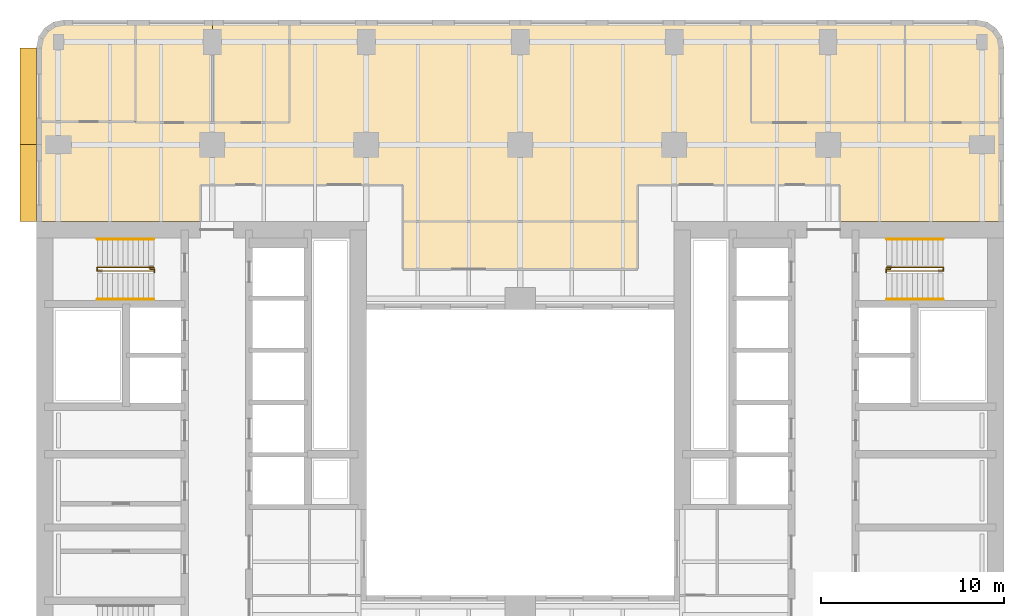
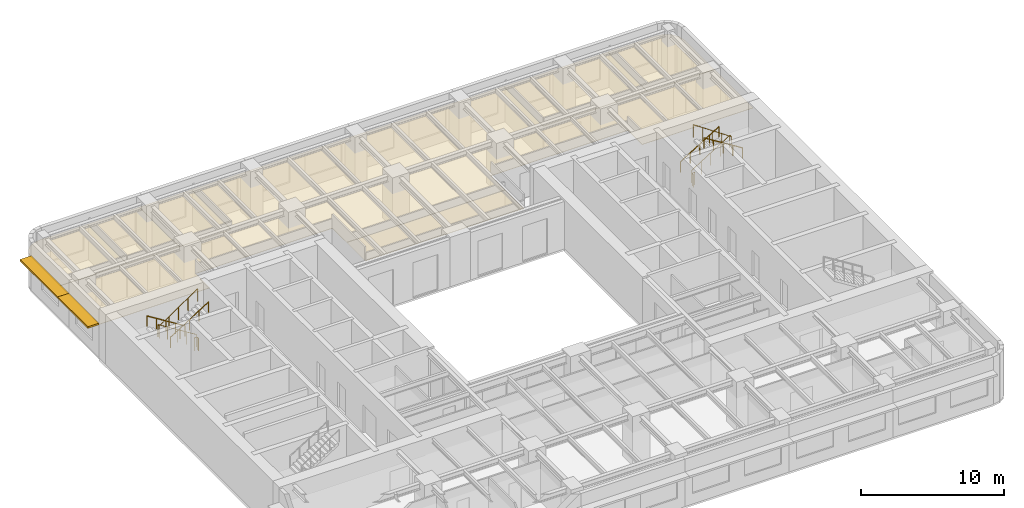
# One storey, part 11 of 11: 8 railings, 7 coverings, 2 shading devices.
"""IFC4 building model written with IfcOpenShell, lengths in metres."""

import ifcopenshell
import ifcopenshell.guid

model = None  # the IFC model being written
_history = None  # IfcOwnerHistory: only IFC2X3 demands one
_inside = {}  # id of a spatial element -> (the spatial element, [elements in it])
_under = {}  # id of a project, library or spatial element -> (it, [spatial elements below it])
_declared = {}  # id of a project -> (the project, [libraries it declares])
_typed = {}  # id of a type object -> (the type object, [elements of that type])
_made_of = {}  # id of a material, layer set ... -> (it, [elements and type objects made of it])


def new_model(schema):
    """Start an empty IFC model of exactly this schema.

    Asked for "IFC4X3", IfcOpenShell would pick the latest addendum, in which some entities
    have other attributes; the version numbers below select the first issue.
    IFC2X3 requires an IfcOwnerHistory on every rooted entity: one is made here for all.
    """
    global model, _history
    if schema == "IFC4X3":
        model = ifcopenshell.file(schema_version=(4, 3, 0, 0))
    else:
        model = ifcopenshell.file(schema=schema)
    _inside.clear()
    _under.clear()
    _declared.clear()
    _typed.clear()
    _made_of.clear()
    _history = None
    if model.schema == "IFC2X3":
        org = make("IfcOrganization", Name="unknown")
        user = make(
            "IfcPersonAndOrganization",
            ThePerson=make("IfcPerson", FamilyName="unknown"),
            TheOrganization=org,
        )
        app = make(
            "IfcApplication",
            ApplicationDeveloper=org,
            Version="unknown",
            ApplicationFullName="unknown",
            ApplicationIdentifier="unknown",
        )
        _history = make(
            "IfcOwnerHistory",
            OwningUser=user,
            OwningApplication=app,
            ChangeAction="ADDED",
            CreationDate=0,
        )
    return model


def make(cls, **values):
    """One entity of the class cls with the attributes given. An attribute that is None is left unset."""
    return model.create_entity(
        cls, **{name: value for name, value in values.items() if value is not None}
    )


def rooted(cls, **values):
    """An entity with a GlobalId (a new one), such as an element, a storey or a relation."""
    return make(cls, GlobalId=ifcopenshell.guid.new(), OwnerHistory=_history, **values)


def si_unit(unit_type, name, prefix=None):
    """IfcSIUnit, for example si_unit("LENGTHUNIT", "METRE", prefix="MILLI")."""
    return make("IfcSIUnit", UnitType=unit_type, Prefix=prefix, Name=name)


def assignment(units):
    """IfcUnitAssignment: the units of a project."""
    return None if units is None else make("IfcUnitAssignment", Units=units)


def point(xyz):
    """IfcCartesianPoint."""
    return None if xyz is None else make("IfcCartesianPoint", Coordinates=xyz)


def direction(xyz):
    """IfcDirection."""
    return None if xyz is None else make("IfcDirection", DirectionRatios=xyz)


def frame(location, z_axis=None, x_axis=None):
    """IfcAxis2Placement3D, a coordinate frame: its origin and axes. An axis left out is left unset."""
    return make(
        "IfcAxis2Placement3D",
        Location=point(location),
        Axis=direction(z_axis),
        RefDirection=direction(x_axis),
    )


def frame_2d(location, x_axis=None):
    """IfcAxis2Placement2D, a coordinate frame in the plane: its origin and x axis."""
    return make(
        "IfcAxis2Placement2D", Location=point(location), RefDirection=direction(x_axis)
    )


def origin():
    """The frame at (0, 0, 0) with its axes left unset."""
    return frame((0.0, 0.0, 0.0))


def origin_2d():
    """The frame at (0, 0) in the plane with its x axis left unset."""
    return frame_2d((0.0, 0.0))


def place(relative_to, where):
    """IfcLocalPlacement: puts the frame where relative to a parent placement (None: the world)."""
    return make(
        "IfcLocalPlacement", PlacementRelTo=relative_to, RelativePlacement=where
    )


def context(
    kind, dimensions, precision=None, world=None, true_north=None, identifier=None
):
    """IfcGeometricRepresentationContext, for example the 3D "Model" context."""
    return make(
        "IfcGeometricRepresentationContext",
        ContextIdentifier=identifier,
        ContextType=kind,
        CoordinateSpaceDimension=dimensions,
        Precision=precision,
        WorldCoordinateSystem=world,
        TrueNorth=true_north,
    )


def subcontext(parent, identifier, kind, view, scale=None):
    """IfcGeometricRepresentationSubContext, for example "Body" below "Model"."""
    return make(
        "IfcGeometricRepresentationSubContext",
        ContextIdentifier=identifier,
        ContextType=kind,
        ParentContext=parent,
        TargetScale=scale,
        TargetView=view,
    )


def project(units=None, contexts=None):
    """IfcProject with its units and contexts."""
    return rooted(
        "IfcProject",
        Name="project",
        RepresentationContexts=contexts,
        UnitsInContext=assignment(units),
    )


def spatial(cls, under=None, at=None, **own):
    """A site, building, storey or space (cls), placed at a placement, below another one or the project."""
    s = rooted(cls, ObjectPlacement=at, **own)
    if under is not None:
        _under.setdefault(under.id(), (under, []))[1].append(s)
    return s


def polyline(points):
    """IfcPolyline through the points."""
    return make("IfcPolyline", Points=[point(p) for p in points])


def profile(cls, at=None, kind="AREA", **sizes):
    """A parametric profile (cls). Its sizes go by their IFC names, for example OverallWidth=200.0."""
    return make(cls, ProfileType=kind, Position=at, **sizes)


def rectangle(**sizes):
    """IfcRectangleProfileDef."""
    return profile("IfcRectangleProfileDef", **sizes)


def circle(**sizes):
    """IfcCircleProfileDef."""
    return profile("IfcCircleProfileDef", **sizes)


def outline(outer, holes=None, kind="AREA"):
    """IfcArbitraryClosedProfileDef: a profile drawn as a closed curve; with holes, ...WithVoids."""
    if holes is None:
        return make("IfcArbitraryClosedProfileDef", ProfileType=kind, OuterCurve=outer)
    return make(
        "IfcArbitraryProfileDefWithVoids",
        ProfileType=kind,
        OuterCurve=outer,
        InnerCurves=holes,
    )


def extrude(swept, where, along, depth):
    """IfcExtrudedAreaSolid: the profile swept, set in the frame where, extruded along a direction by depth."""
    return make(
        "IfcExtrudedAreaSolid",
        SweptArea=swept,
        Position=where,
        ExtrudedDirection=direction(along),
        Depth=depth,
    )


def shape(context_of_items, identifier, shape_type, items):
    """IfcShapeRepresentation: the items that make up one representation, for example the "Body"."""
    return make(
        "IfcShapeRepresentation",
        ContextOfItems=context_of_items,
        RepresentationIdentifier=identifier,
        RepresentationType=shape_type,
        Items=items,
    )


def material(Name=None, Category=None):
    """IfcMaterial."""
    return make("IfcMaterial", Name=Name, Category=Category)


def layer(
    of_material, thickness, ventilated=None, Name=None, Category=None, Priority=None
):
    """IfcMaterialLayer: one layer of a wall or slab, of a material (None: an air gap)."""
    return make(
        "IfcMaterialLayer",
        Material=of_material,
        LayerThickness=thickness,
        IsVentilated=ventilated,
        Name=Name,
        Category=Category,
        Priority=Priority,
    )


def layer_set(layers, Name=None):
    """IfcMaterialLayerSet."""
    return make("IfcMaterialLayerSet", MaterialLayers=layers, LayerSetName=Name)


def made_of(thing, what):
    """Note that an element or type object is made of a material, layer set ...; save() writes the relation."""
    if what is not None:
        _made_of.setdefault(what.id(), (what, []))[1].append(thing)
    return thing


def type_object(cls, material=None, **own):
    """A type object (cls), such as IfcWallType, which elements share."""
    return made_of(rooted(cls, **own), material)


def element(
    cls,
    number,
    at=None,
    inside=None,
    cuts=None,
    type_object=None,
    material=None,
    context=None,
    identifier="Body",
    shape_type=None,
    held_by="IfcProductDefinitionShape",
    body=None,
    shapes=None,
    **own,
):
    """One element of the class cls, such as IfcWall. Its Tag is "e" and its number.

    at: its placement. inside: the storey or other place that contains it. cuts: it is an
    opening in that element (IfcRelVoidsElement). A single representation is given by context,
    identifier, shape_type and body (its items); several are given by shapes. held_by: the class
    of the entity that holds the representations. save() writes the other relations.
    """
    e = rooted(cls, Tag="e%d" % number, ObjectPlacement=at, **own)
    if body is not None:
        shapes = [shape(context, identifier, shape_type, body)]
    if shapes is not None:
        e.Representation = make(held_by, Representations=shapes)
    if inside is not None:
        _inside.setdefault(inside.id(), (inside, []))[1].append(e)
    if cuts is not None:
        rooted(
            "IfcRelVoidsElement", RelatingBuildingElement=cuts, RelatedOpeningElement=e
        )
    if type_object is not None:
        _typed.setdefault(type_object.id(), (type_object, []))[1].append(e)
    return made_of(e, material)


def aggregate(whole, parts):
    """IfcRelAggregates: a whole, such as a stair, and the parts it consists of."""
    return rooted("IfcRelAggregates", RelatingObject=whole, RelatedObjects=parts)


def save(model, path):
    """Write the relations noted so far, then the file.

    IfcRelAggregates (storeys below a building ...), IfcRelContainedInSpatialStructure (elements
    in a storey), IfcRelDefinesByType, IfcRelAssociatesMaterial and IfcRelDeclares: one each for
    every whole, place, type object, material and project.
    """
    for whole, parts in _under.values():
        aggregate(whole, parts)
    for where, things in _inside.values():
        rooted(
            "IfcRelContainedInSpatialStructure",
            RelatedElements=things,
            RelatingStructure=where,
        )
    for kind, things in _typed.values():
        rooted("IfcRelDefinesByType", RelatedObjects=things, RelatingType=kind)
    for what, things in _made_of.values():
        rooted("IfcRelAssociatesMaterial", RelatedObjects=things, RelatingMaterial=what)
    for by, libraries in _declared.values():
        rooted("IfcRelDeclares", RelatingContext=by, RelatedDefinitions=libraries)
    model.write(path)


model = new_model("IFC4")

# Units and contexts
model_context = context("Model", 3, precision=1e-05, world=origin(), true_north=direction((0.0, 1.0)))
body_context = subcontext(model_context, "Body", "Model", "MODEL_VIEW")
ifc_project = project(units=[si_unit("LENGTHUNIT", "METRE"), si_unit("AREAUNIT", "SQUARE_METRE"), si_unit("VOLUMEUNIT", "CUBIC_METRE"), si_unit("PLANEANGLEUNIT", "RADIAN"), si_unit("MASSUNIT", "GRAM", prefix="KILO")], contexts=[model_context])

# Site, building, storey
site_placement = place(None, origin())
site = spatial("IfcSite", under=ifc_project, at=site_placement, CompositionType="ELEMENT")
building_placement = place(site_placement, origin())
building = spatial("IfcBuilding", under=site, at=building_placement, Name="Claustro Exchange Tower", CompositionType="ELEMENT")
storey_placement = place(building_placement, frame((0.0, 0.0, 105.0)))
storey = spatial("IfcBuildingStorey", under=building, at=storey_placement, Name="L23", CompositionType="ELEMENT", Elevation=105.0)

# Coverings
ifc_material_1 = material(Name="Perforated metal ceiling tiles", Category="steel")
ifc_layer_1 = layer(ifc_material_1, 0.030029296875)
ifc_layer_set_1 = layer_set([ifc_layer_1], Name="Perforated metal ceiling tiles")
covering_type_1 = type_object("IfcCoveringType", Name="CL1 suspended metal ceiling", PredefinedType="CEILING", material=ifc_layer_set_1)
covering_1_placement = place(storey_placement, frame((0.0, 0.0, 2.800048828125)))
element("IfcCovering", 1, at=covering_1_placement, inside=storey, type_object=covering_type_1, Name="Ceiling CL1 L23-17", PredefinedType="CEILING", context=body_context, shape_type="SweptSolid", body=[
    extrude(outline(polyline([(-1.199951171875, 43.25), (-1.199951171875, 37.800048828125), (7.75, 37.800048828125), (7.75, 39.800048828125), (16.800048828125, 39.800048828125), (18.800048828125, 39.800048828125), (18.800048828125, 37.800048828125), (31.60009765625, 37.800048828125), (31.60009765625, 39.800048828125), (33.60009765625, 39.800048828125), (42.64990234375, 39.800048828125), (42.64990234375, 37.800048828125), (51.60009765625, 37.800048828125), (51.60009765625, 43.199951171875), (46.199951171875, 43.199951171875), (37.800048828125, 43.199951171875), (37.800048828125, 48.800048828125), (12.60009765625, 48.800048828125), (12.60009765625, 43.199951171875), (8.39990234375, 43.199951171875), (4.199951171875, 43.199951171875), (4.199951171875, 43.25), (-1.199951171875, 43.25)])), origin(), (0.0, 0.0, 1.0), 0.030029296875),
])
ifc_material_2 = material(Name="Gypsum board ceiling", Category="gypsum board")
ifc_layer_2 = layer(ifc_material_2, 0.02490234375)
ifc_layer_set_2 = layer_set([ifc_layer_2], Name="Gypsum board ceiling")
covering_type_2 = type_object("IfcCoveringType", Name="CL2 plasterboard ceiling", PredefinedType="CEILING", material=ifc_layer_set_2)
covering_2_placement = place(storey_placement, frame((0.0, 0.0, 2.800048828125)))
element("IfcCovering", 2, at=covering_2_placement, inside=storey, type_object=covering_type_2, Name="Ceiling CL2 L23-15", PredefinedType="CEILING", context=body_context, shape_type="SweptSolid", body=[
    extrude(outline(polyline([(18.800048828125, 35.199951171875), (31.60009765625, 35.199951171875), (31.60009765625, 37.800048828125), (18.800048828125, 37.800048828125), (18.800048828125, 35.199951171875)])), origin(), (0.0, 0.0, 1.0), 0.02490234375),
])
covering_3_placement = place(storey_placement, frame((0.0, 0.0, 2.800048828125)))
element("IfcCovering", 3, at=covering_3_placement, inside=storey, type_object=covering_type_2, Name="Ceiling CL2 L23-18", PredefinedType="CEILING", context=body_context, shape_type="SweptSolid", body=[
    extrude(outline(polyline([(-1.199951171875, 47.300048828125), (-1.199951171875, 43.25), (4.199951171875, 43.25), (4.199951171875, 48.800048828125), (0.300048828125, 48.800048828125), (-0.27392578125, 48.685791015625), (-0.7607421875, 48.360595703125), (-1.085693359375, 47.8740234375), (-1.199951171875, 47.300048828125)])), origin(), (0.0, 0.0, 1.0), 0.02490234375),
])
covering_4_placement = place(storey_placement, frame((0.0, 0.0, 2.800048828125)))
element("IfcCovering", 4, at=covering_4_placement, inside=storey, type_object=covering_type_2, Name="Ceiling CL2 L23-19", PredefinedType="CEILING", context=body_context, shape_type="SweptSolid", body=[
    extrude(outline(polyline([(8.39990234375, 48.800048828125), (4.199951171875, 48.800048828125), (4.199951171875, 43.199951171875), (8.39990234375, 43.199951171875), (8.39990234375, 48.800048828125)])), origin(), (0.0, 0.0, 1.0), 0.02490234375),
])
covering_5_placement = place(storey_placement, frame((0.0, 0.0, 2.800048828125)))
element("IfcCovering", 5, at=covering_5_placement, inside=storey, type_object=covering_type_2, Name="Ceiling CL2 L23-20", PredefinedType="CEILING", context=body_context, shape_type="SweptSolid", body=[
    extrude(outline(polyline([(12.60009765625, 48.800048828125), (8.39990234375, 48.800048828125), (8.39990234375, 43.199951171875), (12.60009765625, 43.199951171875), (12.60009765625, 48.800048828125)])), origin(), (0.0, 0.0, 1.0), 0.02490234375),
])
covering_6_placement = place(storey_placement, frame((0.0, 0.0, 2.800048828125)))
element("IfcCovering", 6, at=covering_6_placement, inside=storey, type_object=covering_type_2, Name="Ceiling CL2 L23-21", PredefinedType="CEILING", context=body_context, shape_type="SweptSolid", body=[
    extrude(outline(polyline([(46.199951171875, 48.800048828125), (37.800048828125, 48.800048828125), (37.800048828125, 43.199951171875), (46.199951171875, 43.199951171875), (46.199951171875, 48.800048828125)])), origin(), (0.0, 0.0, 1.0), 0.02490234375),
])
covering_7_placement = place(storey_placement, frame((0.0, 0.0, 2.800048828125)))
element("IfcCovering", 7, at=covering_7_placement, inside=storey, type_object=covering_type_2, Name="Ceiling CL2 L23-22", PredefinedType="CEILING", context=body_context, shape_type="SweptSolid", body=[
    extrude(outline(polyline([(50.10009765625, 48.800048828125), (46.199951171875, 48.800048828125), (46.199951171875, 43.199951171875), (51.60009765625, 43.199951171875), (51.60009765625, 47.300048828125), (51.48583984375, 47.8740234375), (51.16064453125, 48.360595703125), (50.674072265625, 48.685791015625), (50.10009765625, 48.800048828125)])), origin(), (0.0, 0.0, 1.0), 0.02490234375),
])

# Railings
ifc_material_3 = material(Name="Steel balustrade, painted", Category="steel")
railing_type_1 = type_object("IfcRailingType", Name="GR2 1100 steel stair guard", PredefinedType="GUARDRAIL", material=ifc_material_3)
railing_1_placement = place(storey_placement, frame((5.199951171875, 35.300048828125, 0.175048828125)))
element("IfcRailing", 8, at=railing_1_placement, inside=storey, type_object=railing_type_1, Name="Stair well guard GR2 stair STWB L23", PredefinedType="GUARDRAIL", context=body_context, shape_type="SweptSolid", body=[
    extrude(circle(Radius=0.02392578125, at=origin_2d()), frame((0.0, 0.0, 1.076171875), z_axis=(-0.847979421464, 0.0, 0.530029150871), x_axis=(0.0, -1.0, 0.0)), (0.0, 0.0, 1.0), 3.632080078125),
    extrude(circle(Radius=0.02392578125, at=origin_2d()), frame((-3.079833984375, 0.0, 3.0009765625), z_axis=(0.0, -1.0, 0.0), x_axis=(1.0, 0.0, 0.0)), (0.0, 0.0, 1.0), 0.199951171875),
    extrude(circle(Radius=0.02392578125, at=origin_2d()), frame((-3.079833984375, -0.199951171875, 3.0009765625), z_axis=(0.826231499792, 0.0, 0.563330727682), x_axis=(0.0, 1.0, 0.0)), (0.0, 0.0, 1.0), 3.7275390625),
    extrude(circle(Radius=0.02099609375, at=origin_2d()), origin(), (0.0, 0.0, 1.0), 1.052001953125),
    extrude(circle(Radius=0.02099609375, at=origin_2d()), frame((-0.77001953125, 0.0, 0.481201171875)), (0.0, 0.0, 1.0), 1.052001953125),
    extrude(circle(Radius=0.02099609375, at=origin_2d()), frame((-1.5400390625, 0.0, 0.96240234375)), (0.0, 0.0, 1.0), 1.052001953125),
    extrude(circle(Radius=0.02099609375, at=origin_2d()), frame((-2.309814453125, 0.0, 1.44384765625)), (0.0, 0.0, 1.0), 1.052001953125),
    extrude(circle(Radius=0.02099609375, at=origin_2d()), frame((-3.079833984375, 0.0, 1.925048828125)), (0.0, 0.0, 1.0), 1.052001953125),
    extrude(circle(Radius=0.02099609375, at=origin_2d()), frame((-3.079833984375, -0.199951171875, 1.925048828125)), (0.0, 0.0, 1.0), 1.052001953125),
    extrude(circle(Radius=0.02099609375, at=origin_2d()), frame((-2.309814453125, -0.199951171875, 2.449951171875)), (0.0, 0.0, 1.0), 1.052001953125),
    extrude(circle(Radius=0.02099609375, at=origin_2d()), frame((-1.5400390625, -0.199951171875, 2.97509765625)), (0.0, 0.0, 1.0), 1.052001953125),
    extrude(circle(Radius=0.02099609375, at=origin_2d()), frame((-0.77001953125, -0.199951171875, 3.5)), (0.0, 0.0, 1.0), 1.052001953125),
    extrude(circle(Radius=0.02099609375, at=origin_2d()), frame((0.0, -0.199951171875, 4.02490234375)), (0.0, 0.0, 1.0), 1.052001953125),
])
railing_2_placement = place(storey_placement, frame((5.0, 35.22998046875, 0.0)))
element("IfcRailing", 9, at=railing_2_placement, inside=storey, type_object=railing_type_1, Name="Stair guard GR2 STWB L23", PredefinedType="GUARDRAIL", context=body_context, shape_type="SweptSolid", body=[
    extrude(circle(Radius=0.02392578125, at=origin_2d()), frame((0.0, 0.0, 1.076171875), z_axis=(0.0, -1.0, 0.0), x_axis=(1.0, 0.0, 0.0)), (0.0, 0.0, 1.0), 0.030029296875),
    extrude(circle(Radius=0.02392578125, at=origin_2d()), frame((0.0, -0.030029296875, 1.076171875), z_axis=(1.0, 0.0, 0.0), x_axis=(0.0, 1.0, 0.0)), (0.0, 0.0, 1.0), 0.22509765625),
    extrude(circle(Radius=0.02392578125, at=origin_2d()), frame((0.22509765625, -0.030029296875, 1.076171875), z_axis=(0.0, -1.0, 0.0), x_axis=(1.0, 0.0, 0.0)), (0.0, 0.0, 1.0), 0.179931640625),
    extrude(circle(Radius=0.02099609375, at=origin_2d()), origin(), (0.0, 0.0, 1.0), 1.052001953125),
    extrude(circle(Radius=0.02099609375, at=origin_2d()), frame((0.0, -0.030029296875, 0.0)), (0.0, 0.0, 1.0), 1.052001953125),
    extrude(circle(Radius=0.02099609375, at=origin_2d()), frame((0.22509765625, -0.030029296875, 0.0)), (0.0, 0.0, 1.0), 1.052001953125),
    extrude(circle(Radius=0.02099609375, at=origin_2d()), frame((0.22509765625, -0.2099609375, 0.0)), (0.0, 0.0, 1.0), 1.052001953125),
])
railing_3_placement = place(storey_placement, frame((45.199951171875, 35.300048828125, 0.175048828125)))
element("IfcRailing", 10, at=railing_3_placement, inside=storey, type_object=railing_type_1, Name="Stair well guard GR2 stair STEB L23", PredefinedType="GUARDRAIL", context=body_context, shape_type="SweptSolid", body=[
    extrude(circle(Radius=0.02392578125, at=origin_2d()), frame((0.0, 0.0, 1.076171875), z_axis=(0.847998304005, 0.0, 0.529998940003), x_axis=(0.0, 1.0, 0.0)), (0.0, 0.0, 1.0), 3.632080078125),
    extrude(circle(Radius=0.02392578125, at=origin_2d()), frame((3.080078125, 0.0, 3.0009765625), z_axis=(0.0, -1.0, 0.0), x_axis=(1.0, 0.0, 0.0)), (0.0, 0.0, 1.0), 0.199951171875),
    extrude(circle(Radius=0.02392578125, at=origin_2d()), frame((3.080078125, -0.199951171875, 3.0009765625), z_axis=(-0.826252282691, 0.0, 0.563300244406), x_axis=(0.0, -1.0, 0.0)), (0.0, 0.0, 1.0), 3.727783203125),
    extrude(circle(Radius=0.02099609375, at=origin_2d()), origin(), (0.0, 0.0, 1.0), 1.052001953125),
    extrude(circle(Radius=0.02099609375, at=origin_2d()), frame((0.77001953125, 0.0, 0.481201171875)), (0.0, 0.0, 1.0), 1.052001953125),
    extrude(circle(Radius=0.02099609375, at=origin_2d()), frame((1.5400390625, 0.0, 0.96240234375)), (0.0, 0.0, 1.0), 1.052001953125),
    extrude(circle(Radius=0.02099609375, at=origin_2d()), frame((2.31005859375, 0.0, 1.44384765625)), (0.0, 0.0, 1.0), 1.052001953125),
    extrude(circle(Radius=0.02099609375, at=origin_2d()), frame((3.080078125, 0.0, 1.925048828125)), (0.0, 0.0, 1.0), 1.052001953125),
    extrude(circle(Radius=0.02099609375, at=origin_2d()), frame((3.080078125, -0.199951171875, 1.925048828125)), (0.0, 0.0, 1.0), 1.052001953125),
    extrude(circle(Radius=0.02099609375, at=origin_2d()), frame((2.31005859375, -0.199951171875, 2.449951171875)), (0.0, 0.0, 1.0), 1.052001953125),
    extrude(circle(Radius=0.02099609375, at=origin_2d()), frame((1.5400390625, -0.199951171875, 2.97509765625)), (0.0, 0.0, 1.0), 1.052001953125),
    extrude(circle(Radius=0.02099609375, at=origin_2d()), frame((0.77001953125, -0.199951171875, 3.5)), (0.0, 0.0, 1.0), 1.052001953125),
    extrude(circle(Radius=0.02099609375, at=origin_2d()), frame((0.0, -0.199951171875, 4.02490234375)), (0.0, 0.0, 1.0), 1.052001953125),
])
railing_4_placement = place(storey_placement, frame((45.39990234375, 35.22998046875, 0.0)))
element("IfcRailing", 11, at=railing_4_placement, inside=storey, type_object=railing_type_1, Name="Stair guard GR2 STEB L23", PredefinedType="GUARDRAIL", context=body_context, shape_type="SweptSolid", body=[
    extrude(circle(Radius=0.02392578125, at=origin_2d()), frame((0.0, 0.0, 1.076171875), z_axis=(0.0, -1.0, 0.0), x_axis=(1.0, 0.0, 0.0)), (0.0, 0.0, 1.0), 0.030029296875),
    extrude(circle(Radius=0.02392578125, at=origin_2d()), frame((0.0, -0.030029296875, 1.076171875), z_axis=(-1.0, 0.0, 0.0), x_axis=(0.0, -1.0, 0.0)), (0.0, 0.0, 1.0), 0.224853515625),
    extrude(circle(Radius=0.02392578125, at=origin_2d()), frame((-0.224853515625, -0.030029296875, 1.076171875), z_axis=(0.0, -1.0, 0.0), x_axis=(1.0, 0.0, 0.0)), (0.0, 0.0, 1.0), 0.179931640625),
    extrude(circle(Radius=0.02099609375, at=origin_2d()), origin(), (0.0, 0.0, 1.0), 1.052001953125),
    extrude(circle(Radius=0.02099609375, at=origin_2d()), frame((0.0, -0.030029296875, 0.0)), (0.0, 0.0, 1.0), 1.052001953125),
    extrude(circle(Radius=0.02099609375, at=origin_2d()), frame((-0.224853515625, -0.030029296875, 0.0)), (0.0, 0.0, 1.0), 1.052001953125),
    extrude(circle(Radius=0.02099609375, at=origin_2d()), frame((-0.224853515625, -0.2099609375, 0.0)), (0.0, 0.0, 1.0), 1.052001953125),
])
ifc_material_4 = material(Name="Stainless steel tube", Category="steel")
railing_type_2 = type_object("IfcRailingType", Name="HR1 900 stair handrail", PredefinedType="HANDRAIL", material=ifc_material_4)
railing_5_placement = place(storey_placement, frame((5.199951171875, 36.840087890625, 0.175048828125)))
element("IfcRailing", 12, at=railing_5_placement, inside=storey, type_object=railing_type_2, Name="Handrail HR1 stair STWB L23", PredefinedType="HANDRAIL", context=body_context, shape_type="SweptSolid", body=[
    extrude(circle(Radius=0.02392578125, at=origin_2d()), frame((0.0, 0.0, 0.8759765625), z_axis=(-0.847979421464, 0.0, 0.530029150871), x_axis=(0.0, -1.0, 0.0)), (0.0, 0.0, 1.0), 3.632080078125),
    extrude(circle(Radius=0.02099609375, at=origin_2d()), origin(), (0.0, 0.0, 1.0), 0.851806640625),
    extrude(circle(Radius=0.02099609375, at=origin_2d()), frame((-0.77001953125, 0.0, 0.481201171875)), (0.0, 0.0, 1.0), 0.851806640625),
    extrude(circle(Radius=0.02099609375, at=origin_2d()), frame((-1.5400390625, 0.0, 0.96240234375)), (0.0, 0.0, 1.0), 0.851806640625),
    extrude(circle(Radius=0.02099609375, at=origin_2d()), frame((-2.309814453125, 0.0, 1.44384765625)), (0.0, 0.0, 1.0), 0.851806640625),
    extrude(circle(Radius=0.02099609375, at=origin_2d()), frame((-3.079833984375, 0.0, 1.925048828125)), (0.0, 0.0, 1.0), 0.851806640625),
])
railing_6_placement = place(storey_placement, frame((2.1201171875, 33.56005859375, 2.27490234375)))
element("IfcRailing", 13, at=railing_6_placement, inside=storey, type_object=railing_type_2, Name="Handrail HR1 stair STWB L23", PredefinedType="HANDRAIL", context=body_context, shape_type="SweptSolid", body=[
    extrude(circle(Radius=0.02392578125, at=origin_2d()), frame((0.0, 0.0, 0.8759765625), z_axis=(0.847979421464, 0.0, 0.530029150871), x_axis=(0.0, 1.0, 0.0)), (0.0, 0.0, 1.0), 3.632080078125),
    extrude(circle(Radius=0.02099609375, at=origin_2d()), origin(), (0.0, 0.0, 1.0), 0.851806640625),
    extrude(circle(Radius=0.02099609375, at=origin_2d()), frame((0.77001953125, 0.0, 0.481201171875)), (0.0, 0.0, 1.0), 0.851806640625),
    extrude(circle(Radius=0.02099609375, at=origin_2d()), frame((1.5400390625, 0.0, 0.96240234375)), (0.0, 0.0, 1.0), 0.851806640625),
    extrude(circle(Radius=0.02099609375, at=origin_2d()), frame((2.309814453125, 0.0, 1.44384765625)), (0.0, 0.0, 1.0), 0.851806640625),
    extrude(circle(Radius=0.02099609375, at=origin_2d()), frame((3.079833984375, 0.0, 1.925048828125)), (0.0, 0.0, 1.0), 0.851806640625),
])
railing_7_placement = place(storey_placement, frame((45.199951171875, 36.840087890625, 0.175048828125)))
element("IfcRailing", 14, at=railing_7_placement, inside=storey, type_object=railing_type_2, Name="Handrail HR1 stair STEB L23", PredefinedType="HANDRAIL", context=body_context, shape_type="SweptSolid", body=[
    extrude(circle(Radius=0.02392578125, at=origin_2d()), frame((0.0, 0.0, 0.8759765625), z_axis=(0.847998304005, 0.0, 0.529998940003), x_axis=(0.0, 1.0, 0.0)), (0.0, 0.0, 1.0), 3.632080078125),
    extrude(circle(Radius=0.02099609375, at=origin_2d()), origin(), (0.0, 0.0, 1.0), 0.851806640625),
    extrude(circle(Radius=0.02099609375, at=origin_2d()), frame((0.77001953125, 0.0, 0.481201171875)), (0.0, 0.0, 1.0), 0.851806640625),
    extrude(circle(Radius=0.02099609375, at=origin_2d()), frame((1.5400390625, 0.0, 0.96240234375)), (0.0, 0.0, 1.0), 0.851806640625),
    extrude(circle(Radius=0.02099609375, at=origin_2d()), frame((2.31005859375, 0.0, 1.44384765625)), (0.0, 0.0, 1.0), 0.851806640625),
    extrude(circle(Radius=0.02099609375, at=origin_2d()), frame((3.080078125, 0.0, 1.925048828125)), (0.0, 0.0, 1.0), 0.851806640625),
])
railing_8_placement = place(storey_placement, frame((48.280029296875, 33.56005859375, 2.27490234375)))
element("IfcRailing", 15, at=railing_8_placement, inside=storey, type_object=railing_type_2, Name="Handrail HR1 stair STEB L23", PredefinedType="HANDRAIL", context=body_context, shape_type="SweptSolid", body=[
    extrude(circle(Radius=0.02392578125, at=origin_2d()), frame((0.0, 0.0, 0.8759765625), z_axis=(-0.847998304005, 0.0, 0.529998940003), x_axis=(0.0, -1.0, 0.0)), (0.0, 0.0, 1.0), 3.632080078125),
    extrude(circle(Radius=0.02099609375, at=origin_2d()), origin(), (0.0, 0.0, 1.0), 0.851806640625),
    extrude(circle(Radius=0.02099609375, at=origin_2d()), frame((-0.77001953125, 0.0, 0.481201171875)), (0.0, 0.0, 1.0), 0.851806640625),
    extrude(circle(Radius=0.02099609375, at=origin_2d()), frame((-1.5400390625, 0.0, 0.96240234375)), (0.0, 0.0, 1.0), 0.851806640625),
    extrude(circle(Radius=0.02099609375, at=origin_2d()), frame((-2.31005859375, 0.0, 1.44384765625)), (0.0, 0.0, 1.0), 0.851806640625),
    extrude(circle(Radius=0.02099609375, at=origin_2d()), frame((-3.080078125, 0.0, 1.925048828125)), (0.0, 0.0, 1.0), 0.851806640625),
])

# Shading devices
ifc_material_5 = material(Name="Concrete HA-40 (C40/50), precast, white cement, acid-etched", Category="concrete")
ifc_layer_3 = layer(ifc_material_5, 0.14990234375)
ifc_layer_set_3 = layer_set([ifc_layer_3], Name="Concrete HA-40 (C40/50), precast, white cement, acid-etched")
shading_device_type = type_object("IfcShadingDeviceType", Name="SS2 900 precast concrete SUNSHADE", PredefinedType="SHUTTER", material=ifc_layer_set_3)
shading_device_1_placement = place(storey_placement, frame((-1.64990234375, 39.89990234375, 2.800048828125), z_axis=(0.0, 0.0, 1.0), x_axis=(0.0, 1.0, 0.0)))
element("IfcShadingDevice", 16, at=shading_device_1_placement, inside=storey, type_object=shading_device_type, Name="Precast SUNSHADE SS2 L23", PredefinedType="SHUTTER", context=body_context, shape_type="SweptSolid", body=[
    extrude(rectangle(XDim=4.199951171875, YDim=0.89990234375, at=origin_2d()), origin(), (0.0, 0.0, 1.0), 0.14990234375),
])
shading_device_2_placement = place(storey_placement, frame((-1.64990234375, 44.642578125, 2.800048828125), z_axis=(0.0, 0.0, 1.0), x_axis=(0.0, 1.0, 0.0)))
element("IfcShadingDevice", 17, at=shading_device_2_placement, inside=storey, type_object=shading_device_type, Name="Precast SUNSHADE SS2 L23", PredefinedType="SHUTTER", context=body_context, shape_type="SweptSolid", body=[
    extrude(rectangle(XDim=5.28515625, YDim=0.89990234375, at=origin_2d()), origin(), (0.0, 0.0, 1.0), 0.14990234375),
])

save(model, "model.ifc")
